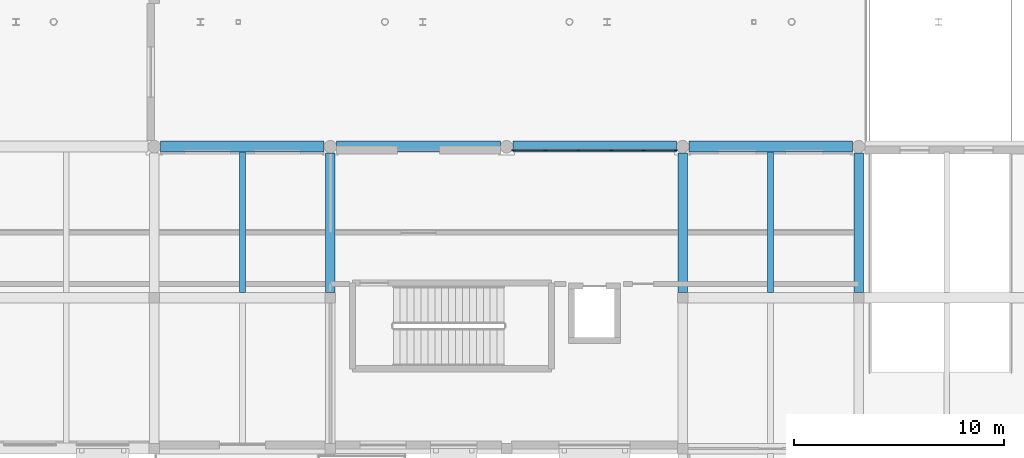
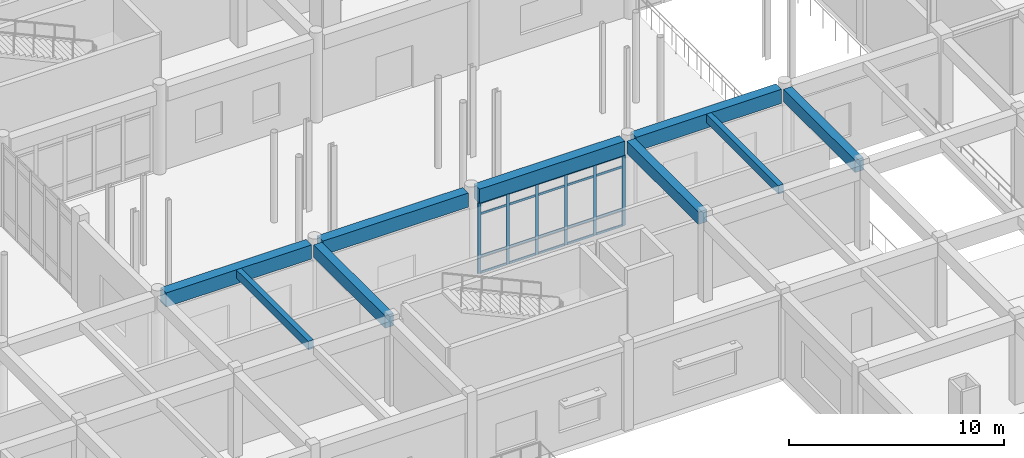
# One storey, part 41 of 121: 26 members, 9 beams, 1 element without a shape of its own.
"""IFC4 building model written with IfcOpenShell, lengths in metres."""

from ifc_helpers import new_model, si_unit, direction, frame, origin, origin_2d, place, context, subcontext, project, spatial, rectangle, extrude, material, material_profile, profile_set, type_object, element, aggregate, save


model = new_model("IFC4")

# Units and contexts
model_context = context("Model", 3, precision=1e-05, world=origin(), true_north=direction((0.0, 1.0)))
body_context = subcontext(model_context, "Body", "Model", "MODEL_VIEW")
ifc_project = project(units=[si_unit("LENGTHUNIT", "METRE"), si_unit("AREAUNIT", "SQUARE_METRE"), si_unit("VOLUMEUNIT", "CUBIC_METRE"), si_unit("PLANEANGLEUNIT", "RADIAN"), si_unit("MASSUNIT", "GRAM", prefix="KILO")], contexts=[model_context])

# Site, building, storey
site_placement = place(None, origin())
site = spatial("IfcSite", under=ifc_project, at=site_placement, CompositionType="ELEMENT")
building_placement = place(site_placement, origin())
building = spatial("IfcBuilding", under=site, at=building_placement, Name="Malvenik Polytechnic", CompositionType="ELEMENT")
storey_placement = place(building_placement, origin())
storey = spatial("IfcBuildingStorey", under=building, at=storey_placement, Name="L00", CompositionType="ELEMENT", Elevation=0.0)

# Curtain wall, members
ifc_material_1 = material(Name="Anodised aluminium 6060-T6", Category="aluminium")
curtain_wall_type = type_object("IfcCurtainWallType", Name="ARC-CW-CW-01", PredefinedType="NOTDEFINED", material=ifc_material_1)
curtain_wall_placement = place(storey_placement, origin())
curtain_wall = element("IfcCurtainWall", 1, at=curtain_wall_placement, inside=storey, type_object=curtain_wall_type, Name="Unitised Curtain Wall CW-01 L00 #17", PredefinedType="NOTDEFINED")
ifc_material_2 = material(Name="Anodised aluminium", Category="aluminium")
ifc_material_profile_1 = material_profile(ifc_material_2, rectangle(XDim=0.06005859375, YDim=0.159912109375, at=origin_2d()), Name="ALU MULLION 60x160")
ifc_profile_set_1 = profile_set([ifc_material_profile_1], Name="Anodised aluminium")
member_type_1 = type_object("IfcMemberType", Name="ARC-CWM-160", PredefinedType="MULLION", material=ifc_profile_set_1)
member_1_placement = place(storey_placement, frame((109.528076171875, 35.830078125, 0.0), z_axis=(0.0, 0.0, 1.0), x_axis=(0.0, 1.0, 0.0)))
member_1 = element("IfcMember", 2, at=member_1_placement, type_object=member_type_1, Name="CW-01 mullion 1", PredefinedType="MULLION", context=body_context, shape_type="SweptSolid", body=[
    extrude(rectangle(XDim=0.06005859375, YDim=0.159912109375, at=origin_2d()), origin(), (0.0, 0.0, 1.0), 4.010009765625),
])
member_2_placement = place(storey_placement, frame((111.058837890625, 35.830078125, 0.0), z_axis=(0.0, 0.0, 1.0), x_axis=(0.0, 1.0, 0.0)))
member_2 = element("IfcMember", 3, at=member_2_placement, type_object=member_type_1, Name="CW-01 mullion 2", PredefinedType="MULLION", context=body_context, shape_type="SweptSolid", body=[
    extrude(rectangle(XDim=0.06005859375, YDim=0.159912109375, at=origin_2d()), origin(), (0.0, 0.0, 1.0), 4.010009765625),
])
member_3_placement = place(storey_placement, frame((112.61962890625, 35.830078125, 0.0), z_axis=(0.0, 0.0, 1.0), x_axis=(0.0, 1.0, 0.0)))
member_3 = element("IfcMember", 4, at=member_3_placement, type_object=member_type_1, Name="CW-01 mullion 3", PredefinedType="MULLION", context=body_context, shape_type="SweptSolid", body=[
    extrude(rectangle(XDim=0.06005859375, YDim=0.159912109375, at=origin_2d()), origin(), (0.0, 0.0, 1.0), 4.010009765625),
])
member_4_placement = place(storey_placement, frame((114.180419921875, 35.830078125, 0.0), z_axis=(0.0, 0.0, 1.0), x_axis=(0.0, 1.0, 0.0)))
member_4 = element("IfcMember", 5, at=member_4_placement, type_object=member_type_1, Name="CW-01 mullion 4", PredefinedType="MULLION", context=body_context, shape_type="SweptSolid", body=[
    extrude(rectangle(XDim=0.06005859375, YDim=0.159912109375, at=origin_2d()), origin(), (0.0, 0.0, 1.0), 4.010009765625),
])
member_5_placement = place(storey_placement, frame((115.7412109375, 35.830078125, 0.0), z_axis=(0.0, 0.0, 1.0), x_axis=(0.0, 1.0, 0.0)))
member_5 = element("IfcMember", 6, at=member_5_placement, type_object=member_type_1, Name="CW-01 mullion 5", PredefinedType="MULLION", context=body_context, shape_type="SweptSolid", body=[
    extrude(rectangle(XDim=0.06005859375, YDim=0.159912109375, at=origin_2d()), origin(), (0.0, 0.0, 1.0), 4.010009765625),
])
member_6_placement = place(storey_placement, frame((117.27197265625, 35.830078125, 0.0), z_axis=(0.0, 0.0, 1.0), x_axis=(0.0, 1.0, 0.0)))
member_6 = element("IfcMember", 7, at=member_6_placement, type_object=member_type_1, Name="CW-01 mullion 6", PredefinedType="MULLION", context=body_context, shape_type="SweptSolid", body=[
    extrude(rectangle(XDim=0.06005859375, YDim=0.159912109375, at=origin_2d()), origin(), (0.0, 0.0, 1.0), 4.010009765625),
])
ifc_material_profile_2 = material_profile(ifc_material_2, rectangle(XDim=0.06005859375, YDim=0.1201171875, at=origin_2d()), Name="ALU TRANSOM 60x120")
ifc_profile_set_2 = profile_set([ifc_material_profile_2], Name="Anodised aluminium")
member_type_2 = type_object("IfcMemberType", Name="ARC-CWT-120", PredefinedType="USERDEFINED", material=ifc_profile_set_2)
member_7_placement = place(storey_placement, frame((109.55810546875, 35.830078125, 0.030029296875), z_axis=(1.0, 0.0, 0.0), x_axis=(0.0, 1.0, 0.0)))
member_7 = element("IfcMember", 8, at=member_7_placement, type_object=member_type_2, Name="CW-01 transom 1.1", ObjectType="TRANSOM", PredefinedType="USERDEFINED", context=body_context, shape_type="SweptSolid", body=[
    extrude(rectangle(XDim=0.06005859375, YDim=0.1201171875, at=origin_2d()), origin(), (0.0, 0.0, 1.0), 1.470703125),
])
member_8_placement = place(storey_placement, frame((109.55810546875, 35.830078125, 0.949951171875), z_axis=(1.0, 0.0, 0.0), x_axis=(0.0, 1.0, 0.0)))
member_8 = element("IfcMember", 9, at=member_8_placement, type_object=member_type_2, Name="CW-01 transom 1.2", ObjectType="TRANSOM", PredefinedType="USERDEFINED", context=body_context, shape_type="SweptSolid", body=[
    extrude(rectangle(XDim=0.06005859375, YDim=0.1201171875, at=origin_2d()), origin(), (0.0, 0.0, 1.0), 1.470703125),
])
member_9_placement = place(storey_placement, frame((109.55810546875, 35.830078125, 3.360107421875), z_axis=(1.0, 0.0, 0.0), x_axis=(0.0, 1.0, 0.0)))
member_9 = element("IfcMember", 10, at=member_9_placement, type_object=member_type_2, Name="CW-01 transom 1.3", ObjectType="TRANSOM", PredefinedType="USERDEFINED", context=body_context, shape_type="SweptSolid", body=[
    extrude(rectangle(XDim=0.06005859375, YDim=0.1201171875, at=origin_2d()), origin(), (0.0, 0.0, 1.0), 1.470703125),
])
member_10_placement = place(storey_placement, frame((109.55810546875, 35.830078125, 3.97998046875), z_axis=(1.0, 0.0, 0.0), x_axis=(0.0, 1.0, 0.0)))
member_10 = element("IfcMember", 11, at=member_10_placement, type_object=member_type_2, Name="CW-01 transom 1.4", ObjectType="TRANSOM", PredefinedType="USERDEFINED", context=body_context, shape_type="SweptSolid", body=[
    extrude(rectangle(XDim=0.06005859375, YDim=0.1201171875, at=origin_2d()), origin(), (0.0, 0.0, 1.0), 1.470703125),
])
member_11_placement = place(storey_placement, frame((111.0888671875, 35.830078125, 0.030029296875), z_axis=(1.0, 0.0, 0.0), x_axis=(0.0, 1.0, 0.0)))
member_11 = element("IfcMember", 12, at=member_11_placement, type_object=member_type_2, Name="CW-01 transom 2.1", ObjectType="TRANSOM", PredefinedType="USERDEFINED", context=body_context, shape_type="SweptSolid", body=[
    extrude(rectangle(XDim=0.06005859375, YDim=0.1201171875, at=origin_2d()), origin(), (0.0, 0.0, 1.0), 1.500732421875),
])
member_12_placement = place(storey_placement, frame((111.0888671875, 35.830078125, 0.949951171875), z_axis=(1.0, 0.0, 0.0), x_axis=(0.0, 1.0, 0.0)))
member_12 = element("IfcMember", 13, at=member_12_placement, type_object=member_type_2, Name="CW-01 transom 2.2", ObjectType="TRANSOM", PredefinedType="USERDEFINED", context=body_context, shape_type="SweptSolid", body=[
    extrude(rectangle(XDim=0.06005859375, YDim=0.1201171875, at=origin_2d()), origin(), (0.0, 0.0, 1.0), 1.500732421875),
])
member_13_placement = place(storey_placement, frame((111.0888671875, 35.830078125, 3.360107421875), z_axis=(1.0, 0.0, 0.0), x_axis=(0.0, 1.0, 0.0)))
member_13 = element("IfcMember", 14, at=member_13_placement, type_object=member_type_2, Name="CW-01 transom 2.3", ObjectType="TRANSOM", PredefinedType="USERDEFINED", context=body_context, shape_type="SweptSolid", body=[
    extrude(rectangle(XDim=0.06005859375, YDim=0.1201171875, at=origin_2d()), origin(), (0.0, 0.0, 1.0), 1.500732421875),
])
member_14_placement = place(storey_placement, frame((111.0888671875, 35.830078125, 3.97998046875), z_axis=(1.0, 0.0, 0.0), x_axis=(0.0, 1.0, 0.0)))
member_14 = element("IfcMember", 15, at=member_14_placement, type_object=member_type_2, Name="CW-01 transom 2.4", ObjectType="TRANSOM", PredefinedType="USERDEFINED", context=body_context, shape_type="SweptSolid", body=[
    extrude(rectangle(XDim=0.06005859375, YDim=0.1201171875, at=origin_2d()), origin(), (0.0, 0.0, 1.0), 1.500732421875),
])
member_15_placement = place(storey_placement, frame((112.649658203125, 35.830078125, 0.030029296875), z_axis=(1.0, 0.0, 0.0), x_axis=(0.0, 1.0, 0.0)))
member_15 = element("IfcMember", 16, at=member_15_placement, type_object=member_type_2, Name="CW-01 transom 3.1", ObjectType="TRANSOM", PredefinedType="USERDEFINED", context=body_context, shape_type="SweptSolid", body=[
    extrude(rectangle(XDim=0.06005859375, YDim=0.1201171875, at=origin_2d()), origin(), (0.0, 0.0, 1.0), 1.500732421875),
])
member_16_placement = place(storey_placement, frame((112.649658203125, 35.830078125, 0.949951171875), z_axis=(1.0, 0.0, 0.0), x_axis=(0.0, 1.0, 0.0)))
member_16 = element("IfcMember", 17, at=member_16_placement, type_object=member_type_2, Name="CW-01 transom 3.2", ObjectType="TRANSOM", PredefinedType="USERDEFINED", context=body_context, shape_type="SweptSolid", body=[
    extrude(rectangle(XDim=0.06005859375, YDim=0.1201171875, at=origin_2d()), origin(), (0.0, 0.0, 1.0), 1.500732421875),
])
member_17_placement = place(storey_placement, frame((112.649658203125, 35.830078125, 3.360107421875), z_axis=(1.0, 0.0, 0.0), x_axis=(0.0, 1.0, 0.0)))
member_17 = element("IfcMember", 18, at=member_17_placement, type_object=member_type_2, Name="CW-01 transom 3.3", ObjectType="TRANSOM", PredefinedType="USERDEFINED", context=body_context, shape_type="SweptSolid", body=[
    extrude(rectangle(XDim=0.06005859375, YDim=0.1201171875, at=origin_2d()), origin(), (0.0, 0.0, 1.0), 1.500732421875),
])
member_18_placement = place(storey_placement, frame((112.649658203125, 35.830078125, 3.97998046875), z_axis=(1.0, 0.0, 0.0), x_axis=(0.0, 1.0, 0.0)))
member_18 = element("IfcMember", 19, at=member_18_placement, type_object=member_type_2, Name="CW-01 transom 3.4", ObjectType="TRANSOM", PredefinedType="USERDEFINED", context=body_context, shape_type="SweptSolid", body=[
    extrude(rectangle(XDim=0.06005859375, YDim=0.1201171875, at=origin_2d()), origin(), (0.0, 0.0, 1.0), 1.500732421875),
])
member_19_placement = place(storey_placement, frame((114.21044921875, 35.830078125, 0.030029296875), z_axis=(1.0, 0.0, 0.0), x_axis=(0.0, 1.0, 0.0)))
member_19 = element("IfcMember", 20, at=member_19_placement, type_object=member_type_2, Name="CW-01 transom 4.1", ObjectType="TRANSOM", PredefinedType="USERDEFINED", context=body_context, shape_type="SweptSolid", body=[
    extrude(rectangle(XDim=0.06005859375, YDim=0.1201171875, at=origin_2d()), origin(), (0.0, 0.0, 1.0), 1.500732421875),
])
member_20_placement = place(storey_placement, frame((114.21044921875, 35.830078125, 0.949951171875), z_axis=(1.0, 0.0, 0.0), x_axis=(0.0, 1.0, 0.0)))
member_20 = element("IfcMember", 21, at=member_20_placement, type_object=member_type_2, Name="CW-01 transom 4.2", ObjectType="TRANSOM", PredefinedType="USERDEFINED", context=body_context, shape_type="SweptSolid", body=[
    extrude(rectangle(XDim=0.06005859375, YDim=0.1201171875, at=origin_2d()), origin(), (0.0, 0.0, 1.0), 1.500732421875),
])
member_21_placement = place(storey_placement, frame((114.21044921875, 35.830078125, 3.360107421875), z_axis=(1.0, 0.0, 0.0), x_axis=(0.0, 1.0, 0.0)))
member_21 = element("IfcMember", 22, at=member_21_placement, type_object=member_type_2, Name="CW-01 transom 4.3", ObjectType="TRANSOM", PredefinedType="USERDEFINED", context=body_context, shape_type="SweptSolid", body=[
    extrude(rectangle(XDim=0.06005859375, YDim=0.1201171875, at=origin_2d()), origin(), (0.0, 0.0, 1.0), 1.500732421875),
])
member_22_placement = place(storey_placement, frame((114.21044921875, 35.830078125, 3.97998046875), z_axis=(1.0, 0.0, 0.0), x_axis=(0.0, 1.0, 0.0)))
member_22 = element("IfcMember", 23, at=member_22_placement, type_object=member_type_2, Name="CW-01 transom 4.4", ObjectType="TRANSOM", PredefinedType="USERDEFINED", context=body_context, shape_type="SweptSolid", body=[
    extrude(rectangle(XDim=0.06005859375, YDim=0.1201171875, at=origin_2d()), origin(), (0.0, 0.0, 1.0), 1.500732421875),
])
member_23_placement = place(storey_placement, frame((115.771240234375, 35.830078125, 0.030029296875), z_axis=(1.0, 0.0, 0.0), x_axis=(0.0, 1.0, 0.0)))
member_23 = element("IfcMember", 24, at=member_23_placement, type_object=member_type_2, Name="CW-01 transom 5.1", ObjectType="TRANSOM", PredefinedType="USERDEFINED", context=body_context, shape_type="SweptSolid", body=[
    extrude(rectangle(XDim=0.06005859375, YDim=0.1201171875, at=origin_2d()), origin(), (0.0, 0.0, 1.0), 1.470703125),
])
member_24_placement = place(storey_placement, frame((115.771240234375, 35.830078125, 0.949951171875), z_axis=(1.0, 0.0, 0.0), x_axis=(0.0, 1.0, 0.0)))
member_24 = element("IfcMember", 25, at=member_24_placement, type_object=member_type_2, Name="CW-01 transom 5.2", ObjectType="TRANSOM", PredefinedType="USERDEFINED", context=body_context, shape_type="SweptSolid", body=[
    extrude(rectangle(XDim=0.06005859375, YDim=0.1201171875, at=origin_2d()), origin(), (0.0, 0.0, 1.0), 1.470703125),
])
member_25_placement = place(storey_placement, frame((115.771240234375, 35.830078125, 3.360107421875), z_axis=(1.0, 0.0, 0.0), x_axis=(0.0, 1.0, 0.0)))
member_25 = element("IfcMember", 26, at=member_25_placement, type_object=member_type_2, Name="CW-01 transom 5.3", ObjectType="TRANSOM", PredefinedType="USERDEFINED", context=body_context, shape_type="SweptSolid", body=[
    extrude(rectangle(XDim=0.06005859375, YDim=0.1201171875, at=origin_2d()), origin(), (0.0, 0.0, 1.0), 1.470703125),
])
member_26_placement = place(storey_placement, frame((115.771240234375, 35.830078125, 3.97998046875), z_axis=(1.0, 0.0, 0.0), x_axis=(0.0, 1.0, 0.0)))
member_26 = element("IfcMember", 27, at=member_26_placement, type_object=member_type_2, Name="CW-01 transom 5.4", ObjectType="TRANSOM", PredefinedType="USERDEFINED", context=body_context, shape_type="SweptSolid", body=[
    extrude(rectangle(XDim=0.06005859375, YDim=0.1201171875, at=origin_2d()), origin(), (0.0, 0.0, 1.0), 1.470703125),
])
aggregate(curtain_wall, [member_1, member_2, member_3, member_4, member_5, member_6, member_7, member_8, member_9, member_10, member_11, member_12, member_13, member_14, member_15, member_16, member_17, member_18, member_19, member_20, member_21, member_22, member_23, member_24, member_25, member_26])

# Beams
ifc_material_3 = material(Name="Concrete C35/45", Category="concrete")
ifc_material_profile_3 = material_profile(ifc_material_3, rectangle(XDim=0.449951171875, YDim=0.699951171875, at=origin_2d()), Name="RC BM 450x700")
ifc_profile_set_3 = profile_set([ifc_material_profile_3], Name="Concrete C35/45")
beam_type_1 = type_object("IfcBeamType", Name="STR-BM-B-04", PredefinedType="BEAM", material=ifc_profile_set_3)
for number, where, z_axis, x_axis, name in (
    (28, (100.800048828125, 29.048095703125, 4.469970703125), (0.0, 1.0, 0.0), (-1.0, 0.0, 0.0), "Transverse Beam B-04 L00 #803"),
    (29, (117.60009765625, 29.048095703125, 4.469970703125), (0.0, 1.0, 0.0), (-1.0, 0.0, 0.0), "Transverse Beam B-04 L00 #816"),
    (30, (126.0, 29.048095703125, 4.469970703125), (0.0, 1.0, 0.0), (-1.0, 0.0, 0.0), "Transverse Beam B-04 L00 #827"),
):
    element("IfcBeam", number, at=place(storey_placement, frame(where, z_axis=z_axis, x_axis=x_axis)), inside=storey, type_object=beam_type_1, Name=name, PredefinedType="BEAM", context=body_context, shape_type="SweptSolid", body=[
        extrude(rectangle(XDim=0.449951171875, YDim=0.699951171875, at=origin_2d()), origin(), (0.0, 0.0, 1.0), 6.65380859375),
    ])
ifc_material_4 = material(Name="Concrete C30/37", Category="concrete")
ifc_material_profile_4 = material_profile(ifc_material_4, rectangle(XDim=0.280029296875, YDim=0.47998046875, at=origin_2d()), Name="RC JST 280x480")
ifc_profile_set_4 = profile_set([ifc_material_profile_4], Name="Concrete C30/37")
beam_type_2 = type_object("IfcBeamType", Name="STR-BM-J-01", PredefinedType="JOIST", material=ifc_profile_set_4)
for number, where, z_axis, x_axis, name in (
    (31, (96.60009765625, 29.048095703125, 4.580078125), (0.0, 1.0, 0.0), (-1.0, 0.0, 0.0), "Secondary Rib Joist J-01 L00 #917"),
    (32, (121.800048828125, 29.048095703125, 4.580078125), (0.0, 1.0, 0.0), (-1.0, 0.0, 0.0), "Secondary Rib Joist J-01 L00 #926"),
):
    element("IfcBeam", number, at=place(storey_placement, frame(where, z_axis=z_axis, x_axis=x_axis)), inside=storey, type_object=beam_type_2, Name=name, PredefinedType="JOIST", context=body_context, shape_type="SweptSolid", body=[
        extrude(rectangle(XDim=0.280029296875, YDim=0.47998046875, at=origin_2d()), origin(), (0.0, 0.0, 1.0), 6.69384765625),
    ])
ifc_material_5 = material(Name="Precast concrete C40/50", Category="concrete")
ifc_material_profile_5 = material_profile(ifc_material_5, rectangle(XDim=0.52001953125, YDim=0.800048828125, at=origin_2d()), Name="PC SPN 520x800")
ifc_profile_set_5 = profile_set([ifc_material_profile_5], Name="Precast concrete C40/50")
beam_type_3 = type_object("IfcBeamType", Name="STR-BM-SP-01", PredefinedType="SPANDREL", material=ifc_profile_set_5)
beam_1_placement = place(storey_placement, frame((92.697998046875, 36.0, 4.419921875), z_axis=(1.0, 0.0, 0.0), x_axis=(0.0, 1.0, 0.0)))
element("IfcBeam", 33, at=beam_1_placement, inside=storey, type_object=beam_type_3, Name="Primary Beam SP-01 L00 #564", PredefinedType="SPANDREL", context=body_context, shape_type="SweptSolid", body=[
    extrude(rectangle(XDim=0.52001953125, YDim=0.800048828125, at=origin_2d()), origin(), (0.0, 0.0, 1.0), 7.803955078125),
])
beam_2_placement = place(storey_placement, frame((101.097900390625, 36.0, 4.419921875), z_axis=(1.0, 0.0, 0.0), x_axis=(0.0, 1.0, 0.0)))
element("IfcBeam", 34, at=beam_2_placement, inside=storey, type_object=beam_type_3, Name="Primary Beam SP-01 L00 #565", PredefinedType="SPANDREL", context=body_context, shape_type="SweptSolid", body=[
    extrude(rectangle(XDim=0.52001953125, YDim=0.800048828125, at=origin_2d()), origin(), (0.0, 0.0, 1.0), 7.80419921875),
])
for number, where, z_axis, x_axis, name in (
    (35, (109.498046875, 36.0, 4.419921875), (1.0, 0.0, 0.0), (0.0, 1.0, 0.0), "Primary Beam SP-01 L00 #566"),
    (36, (117.89794921875, 36.0, 4.419921875), (1.0, 0.0, 0.0), (0.0, 1.0, 0.0), "Primary Beam SP-01 L00 #567"),
):
    element("IfcBeam", number, at=place(storey_placement, frame(where, z_axis=z_axis, x_axis=x_axis)), inside=storey, type_object=beam_type_3, Name=name, PredefinedType="SPANDREL", context=body_context, shape_type="SweptSolid", body=[
        extrude(rectangle(XDim=0.52001953125, YDim=0.800048828125, at=origin_2d()), origin(), (0.0, 0.0, 1.0), 7.803955078125),
    ])

save(model, "model.ifc")
